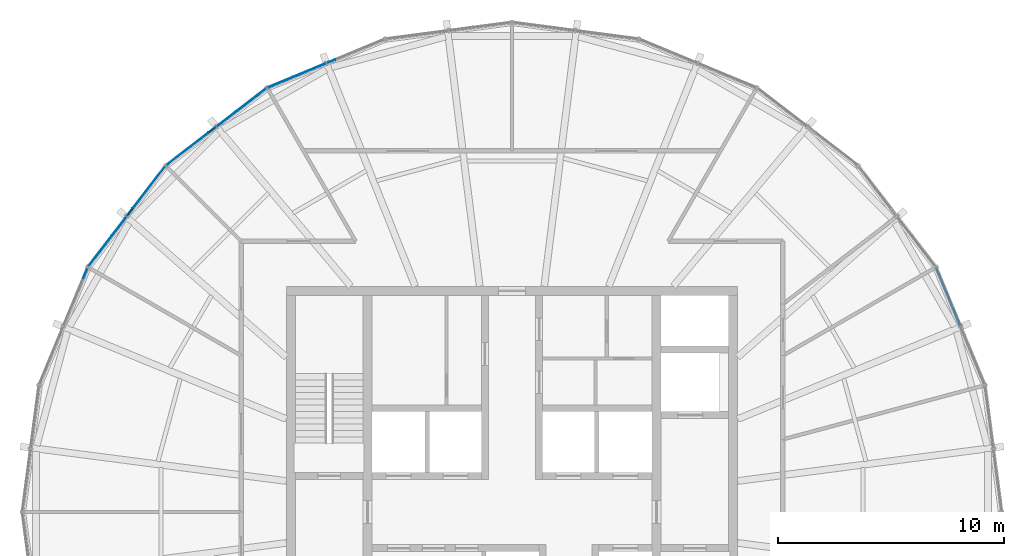
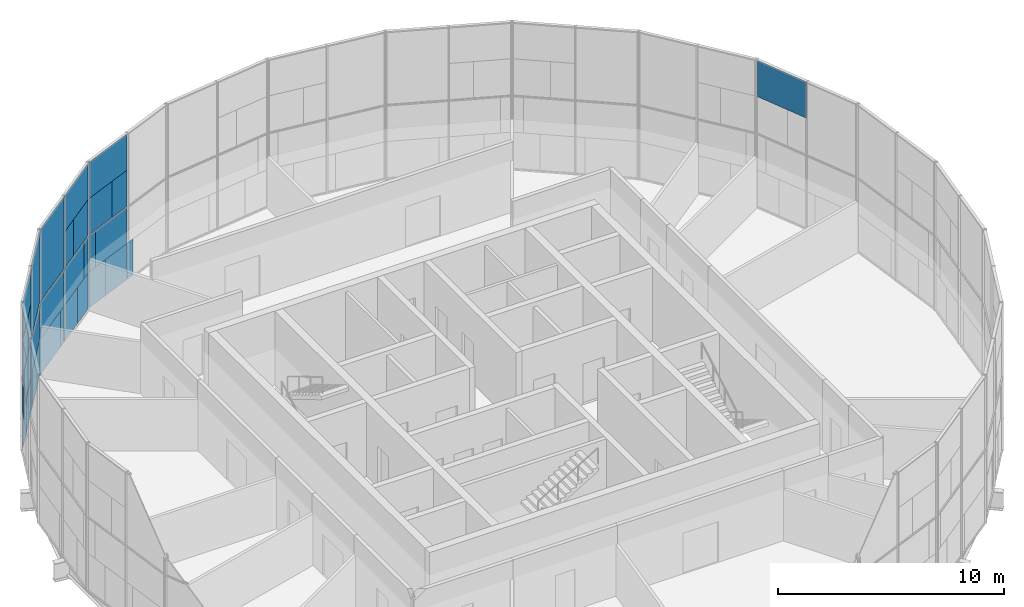
# One storey, part 13 of 18: 32 plates, 5 elements without a shape of their own.
"""IFC4 building model written with IfcOpenShell, lengths in metres."""

from ifc_helpers import new_model, si_unit, direction, frame, origin, origin_2d, place, context, subcontext, project, spatial, rectangle, extrude, material, layer, layer_set, type_object, element, aggregate, save


model = new_model("IFC4")

# Units and contexts
model_context = context("Model", 3, precision=1e-05, world=origin(), true_north=direction((0.0, 1.0)))
body_context = subcontext(model_context, "Body", "Model", "MODEL_VIEW")
ifc_project = project(units=[si_unit("LENGTHUNIT", "METRE"), si_unit("AREAUNIT", "SQUARE_METRE"), si_unit("VOLUMEUNIT", "CUBIC_METRE"), si_unit("PLANEANGLEUNIT", "RADIAN"), si_unit("MASSUNIT", "GRAM", prefix="KILO")], contexts=[model_context])

# Site, building, storey
site_placement = place(None, origin())
site = spatial("IfcSite", under=ifc_project, at=site_placement, CompositionType="ELEMENT")
building_placement = place(site_placement, origin())
building = spatial("IfcBuilding", under=site, at=building_placement, Name="Golbaran Civic Tower", CompositionType="ELEMENT")
storey_placement = place(building_placement, frame((0.0, 0.0, 272.0)))
storey = spatial("IfcBuildingStorey", under=building, at=storey_placement, Name="L66", CompositionType="ELEMENT", Elevation=272.0)

# Curtain wall, plates
ifc_material_1 = material(Name="Aluminium and glass", Category="aluminium")
curtain_wall_type = type_object("IfcCurtainWallType", Name="INNER SKIN CURTAIN WALL EXECUTIVE", PredefinedType="NOTDEFINED", material=ifc_material_1)
curtain_wall_1_placement = place(storey_placement, origin())
curtain_wall_1 = element("IfcCurtainWall", 1, at=curtain_wall_1_placement, inside=storey, type_object=curtain_wall_type, Name="Inner skin L66 facet 8 CW2", ObjectType="INNER SKIN", PredefinedType="USERDEFINED")
ifc_material_2 = material(Name="Clear insulating glass", Category="glass")
ifc_layer_1 = layer(ifc_material_2, 0.031982421875, Name="Clear insulating glass")
ifc_layer_set_1 = layer_set([ifc_layer_1], Name="Clear insulating glass")
plate_type_1 = type_object("IfcPlateType", Name="INNER SKIN CURTAIN WALL EXECUTIVE GLAZED PANEL", PredefinedType="CURTAIN_PANEL", material=ifc_layer_set_1)
plate_1_placement = place(storey_placement, frame((-10.24755859375, 19.041259765625, 0.06005859375), z_axis=(0.0, 0.0, 1.0), x_axis=(-0.923879532498, -0.382683432397, 0.0)))
plate_1 = element("IfcPlate", 2, at=plate_1_placement, type_object=plate_type_1, Name="CW2 panel 2.1 part 2", PredefinedType="CURTAIN_PANEL", context=body_context, shape_type="SweptSolid", body=[
    extrude(rectangle(XDim=1.183349609375, YDim=0.031982421875, at=origin_2d()), origin(), (0.0, 0.0, 1.0), 1.955078125),
])
plate_2_placement = place(storey_placement, frame((-10.58154296875, 18.90283203125, 2.014892578125), z_axis=(0.0, 0.0, 1.0), x_axis=(-0.923879532498, -0.382683432397, 0.0)))
plate_2 = element("IfcPlate", 3, at=plate_2_placement, type_object=plate_type_1, Name="CW2 panel 2.1 part 4", PredefinedType="CURTAIN_PANEL", context=body_context, shape_type="SweptSolid", body=[
    extrude(rectangle(XDim=0.460205078125, YDim=0.031982421875, at=origin_2d()), origin(), (0.0, 0.0, 1.0), 1.955078125),
])
plate_3_placement = place(storey_placement, frame((-8.75537109375, 19.659423828125, 4.030029296875), z_axis=(0.0, 0.0, 1.0), x_axis=(-0.923879532498, -0.382683432397, 0.0)))
plate_3 = element("IfcPlate", 4, at=plate_3_placement, type_object=plate_type_1, Name="CW2 panel 2.2 part 1", PredefinedType="CURTAIN_PANEL", context=body_context, shape_type="SweptSolid", body=[
    extrude(rectangle(XDim=1.071044921875, YDim=0.031982421875, at=origin_2d()), origin(), (0.0, 0.0, 1.0), 1.955078125),
])

curtain_wall_2_placement = place(storey_placement, origin())
curtain_wall_2 = element("IfcCurtainWall", 5, at=curtain_wall_2_placement, inside=storey, type_object=curtain_wall_type, Name="Inner skin L66 facet 9 CW2", ObjectType="INNER SKIN", PredefinedType="USERDEFINED")
plate_4_placement = place(storey_placement, frame((-11.366455078125, 18.395263671875, 0.06005859375), z_axis=(0.0, 0.0, 1.0), x_axis=(-0.79335334027, -0.608761429036, 0.0)))
plate_4 = element("IfcPlate", 6, at=plate_4_placement, type_object=plate_type_1, Name="CW2 panel 1.1 part 1", PredefinedType="CURTAIN_PANEL", context=body_context, shape_type="SweptSolid", body=[
    extrude(rectangle(XDim=1.18310546875, YDim=0.031982421875, at=origin_2d()), origin(), (0.0, 0.0, 1.0), 1.955078125),
])
plate_5_placement = place(storey_placement, frame((-11.07958984375, 18.615234375, 2.014892578125), z_axis=(0.0, 0.0, 1.0), x_axis=(-0.79335334027, -0.608761429036, 0.0)))
plate_5 = element("IfcPlate", 7, at=plate_5_placement, type_object=plate_type_1, Name="CW2 panel 1.1 part 3", PredefinedType="CURTAIN_PANEL", context=body_context, shape_type="SweptSolid", body=[
    extrude(rectangle(XDim=0.4599609375, YDim=0.031982421875, at=origin_2d()), origin(), (0.0, 0.0, 1.0), 1.955078125),
])
plate_6_placement = place(storey_placement, frame((-12.647705078125, 17.412109375, 4.030029296875), z_axis=(0.0, 0.0, 1.0), x_axis=(-0.79335334027, -0.608761429036, 0.0)))
plate_6 = element("IfcPlate", 8, at=plate_6_placement, type_object=plate_type_1, Name="CW2 panel 1.2 part 2", PredefinedType="CURTAIN_PANEL", context=body_context, shape_type="SweptSolid", body=[
    extrude(rectangle(XDim=1.0712890625, YDim=0.031982421875, at=origin_2d()), origin(), (0.0, 0.0, 1.0), 1.955078125),
])
plate_7_placement = place(storey_placement, frame((-14.3671875, 16.0927734375, 0.06005859375), z_axis=(0.0, 0.0, 1.0), x_axis=(-0.79335334027, -0.608761429036, 0.0)))
plate_7 = element("IfcPlate", 9, at=plate_7_placement, type_object=plate_type_1, Name="CW2 panel 2.1 part 2", PredefinedType="CURTAIN_PANEL", context=body_context, shape_type="SweptSolid", body=[
    extrude(rectangle(XDim=2.34130859375, YDim=0.031982421875, at=origin_2d()), origin(), (0.0, 0.0, 1.0), 1.955078125),
])
plate_8_placement = place(storey_placement, frame((-14.2080078125, 16.21484375, 2.014892578125), z_axis=(0.0, 0.0, 1.0), x_axis=(-0.79335334027, -0.608761429036, 0.0)))
plate_8 = element("IfcPlate", 10, at=plate_8_placement, type_object=plate_type_1, Name="CW2 panel 2.1 part 3", PredefinedType="CURTAIN_PANEL", context=body_context, shape_type="SweptSolid", body=[
    extrude(rectangle(XDim=2.7421875, YDim=0.031982421875, at=origin_2d()), origin(), (0.0, 0.0, 1.0), 1.955078125),
])
plate_9_placement = place(storey_placement, frame((-14.2080078125, 16.21484375, 4.0302734375), z_axis=(0.0, 0.0, 1.0), x_axis=(-0.79335334027, -0.608761429036, 0.0)))
plate_9 = element("IfcPlate", 11, at=plate_9_placement, type_object=plate_type_1, Name="CW2 panel 2.2", PredefinedType="CURTAIN_PANEL", context=body_context, shape_type="SweptSolid", body=[
    extrude(rectangle(XDim=2.7421875, YDim=0.031982421875, at=origin_2d()), origin(), (0.0, 0.0, 1.0), 3.909912109375),
])

curtain_wall_3_placement = place(storey_placement, origin())
curtain_wall_3 = element("IfcCurtainWall", 12, at=curtain_wall_3_placement, inside=storey, type_object=curtain_wall_type, Name="Inner skin L66 facet 10 CW2", ObjectType="INNER SKIN", PredefinedType="USERDEFINED")
plate_10_placement = place(storey_placement, frame((-16.092529296875, 14.3671875, 0.06005859375), z_axis=(0.0, 0.0, 1.0), x_axis=(-0.608761429036, -0.79335334027, 0.0)))
plate_10 = element("IfcPlate", 13, at=plate_10_placement, type_object=plate_type_1, Name="CW2 panel 1.1 part 1", PredefinedType="CURTAIN_PANEL", context=body_context, shape_type="SweptSolid", body=[
    extrude(rectangle(XDim=2.341064453125, YDim=0.031982421875, at=origin_2d()), origin(), (0.0, 0.0, 1.0), 1.955078125),
])
plate_11_placement = place(storey_placement, frame((-16.21484375, 14.2080078125, 2.014892578125), z_axis=(0.0, 0.0, 1.0), x_axis=(-0.608761429036, -0.79335334027, 0.0)))
plate_11 = element("IfcPlate", 14, at=plate_11_placement, type_object=plate_type_1, Name="CW2 panel 1.1 part 3", PredefinedType="CURTAIN_PANEL", context=body_context, shape_type="SweptSolid", body=[
    extrude(rectangle(XDim=2.7421875, YDim=0.031982421875, at=origin_2d()), origin(), (0.0, 0.0, 1.0), 1.955078125),
])
plate_12_placement = place(storey_placement, frame((-16.21484375, 14.2080078125, 4.0302734375), z_axis=(0.0, 0.0, 1.0), x_axis=(-0.608761429036, -0.79335334027, 0.0)))
plate_12 = element("IfcPlate", 15, at=plate_12_placement, type_object=plate_type_1, Name="CW2 panel 1.2", PredefinedType="CURTAIN_PANEL", context=body_context, shape_type="SweptSolid", body=[
    extrude(rectangle(XDim=2.7421875, YDim=0.031982421875, at=origin_2d()), origin(), (0.0, 0.0, 1.0), 3.909912109375),
])
plate_13_placement = place(storey_placement, frame((-18.395263671875, 11.366455078125, 0.06005859375), z_axis=(0.0, 0.0, 1.0), x_axis=(-0.608761429036, -0.79335334027, 0.0)))
plate_13 = element("IfcPlate", 16, at=plate_13_placement, type_object=plate_type_1, Name="CW2 panel 2.1 part 2", PredefinedType="CURTAIN_PANEL", context=body_context, shape_type="SweptSolid", body=[
    extrude(rectangle(XDim=1.183349609375, YDim=0.031982421875, at=origin_2d()), origin(), (0.0, 0.0, 1.0), 1.955078125),
])
plate_14_placement = place(storey_placement, frame((-18.615234375, 11.07958984375, 2.014892578125), z_axis=(0.0, 0.0, 1.0), x_axis=(-0.608761429036, -0.79335334027, 0.0)))
plate_14 = element("IfcPlate", 17, at=plate_14_placement, type_object=plate_type_1, Name="CW2 panel 2.1 part 4", PredefinedType="CURTAIN_PANEL", context=body_context, shape_type="SweptSolid", body=[
    extrude(rectangle(XDim=0.460205078125, YDim=0.031982421875, at=origin_2d()), origin(), (0.0, 0.0, 1.0), 1.955078125),
])
plate_15_placement = place(storey_placement, frame((-17.411865234375, 12.64794921875, 4.030029296875), z_axis=(0.0, 0.0, 1.0), x_axis=(-0.608761429036, -0.79335334027, 0.0)))
plate_15 = element("IfcPlate", 18, at=plate_15_placement, type_object=plate_type_1, Name="CW2 panel 2.2 part 1", PredefinedType="CURTAIN_PANEL", context=body_context, shape_type="SweptSolid", body=[
    extrude(rectangle(XDim=1.071044921875, YDim=0.031982421875, at=origin_2d()), origin(), (0.0, 0.0, 1.0), 1.955078125),
])

# Curtain wall, plate
curtain_wall_4_placement = place(storey_placement, origin())
curtain_wall_4 = element("IfcCurtainWall", 19, at=curtain_wall_4_placement, inside=storey, type_object=curtain_wall_type, Name="Inner skin L66 facet 11 CW2", ObjectType="INNER SKIN", PredefinedType="USERDEFINED")
plate_16_placement = place(storey_placement, frame((-18.90283203125, 10.58154296875, 2.014892578125), z_axis=(0.0, 0.0, 1.0), x_axis=(-0.382683432397, -0.923879532498, 0.0)))
plate_16 = element("IfcPlate", 20, at=plate_16_placement, type_object=plate_type_1, Name="CW2 panel 1.1 part 3", PredefinedType="CURTAIN_PANEL", context=body_context, shape_type="SweptSolid", body=[
    extrude(rectangle(XDim=0.4599609375, YDim=0.031982421875, at=origin_2d()), origin(), (0.0, 0.0, 1.0), 1.955078125),
])
aggregate(curtain_wall_4, [plate_16])

curtain_wall_5_placement = place(storey_placement, origin())
curtain_wall_5 = element("IfcCurtainWall", 21, at=curtain_wall_5_placement, inside=storey, type_object=curtain_wall_type, Name="Inner skin L66 facet 2 CW2", ObjectType="INNER SKIN", PredefinedType="USERDEFINED")
ifc_material_3 = material(Name="Aluminium faced opaque infill panel", Category="aluminium")
ifc_layer_2 = layer(ifc_material_3, 0.031982421875, Name="Aluminium faced opaque infill panel")
ifc_layer_set_2 = layer_set([ifc_layer_2], Name="Aluminium faced opaque infill panel")
plate_type_2 = type_object("IfcPlateType", Name="INNER SKIN CURTAIN WALL EXECUTIVE OPAQUE INFILL PANEL", PredefinedType="CURTAIN_PANEL", material=ifc_layer_set_2)
plate_17_placement = place(storey_placement, frame((19.339599609375, 9.52734375, 5.98486328125), z_axis=(0.0, 0.0, 1.0), x_axis=(-0.382683432397, 0.923879532498, 0.0)))
plate_17 = element("IfcPlate", 22, at=plate_17_placement, type_object=plate_type_2, Name="CW2 infill panel 2.2 part 3", PredefinedType="CURTAIN_PANEL", context=body_context, shape_type="SweptSolid", body=[
    extrude(rectangle(XDim=2.7421875, YDim=0.031982421875, at=origin_2d()), origin(), (0.0, 0.0, 1.0), 1.955078125),
])
aggregate(curtain_wall_5, [plate_17])

# Plate
plate_18_placement = place(storey_placement, frame((-8.019775390625, 19.964111328125, 0.06005859375), z_axis=(0.0, 0.0, 1.0), x_axis=(-0.923879532498, -0.382683432397, 0.0)))
plate_18 = element("IfcPlate", 23, at=plate_18_placement, type_object=plate_type_2, Name="CW2 infill panel 1.1 part 2", PredefinedType="CURTAIN_PANEL", context=body_context, shape_type="SweptSolid", body=[
    extrude(rectangle(XDim=0.4013671875, YDim=0.031982421875, at=origin_2d()), origin(), (0.0, 0.0, 1.0), 1.955078125),
])

plate_19_placement = place(storey_placement, frame((-8.980712890625, 19.56591796875, 0.06005859375), z_axis=(0.0, 0.0, 1.0), x_axis=(-0.923879532498, -0.382683432397, 0.0)))
plate_19 = element("IfcPlate", 24, at=plate_19_placement, type_object=plate_type_2, Name="CW2 infill panel 2.1 part 1", PredefinedType="CURTAIN_PANEL", context=body_context, shape_type="SweptSolid", body=[
    extrude(rectangle(XDim=1.55908203125, YDim=0.031982421875, at=origin_2d()), origin(), (0.0, 0.0, 1.0), 1.955078125),
])

plate_20_placement = place(storey_placement, frame((-9.314697265625, 19.427734375, 2.014892578125), z_axis=(0.0, 0.0, 1.0), x_axis=(-0.923879532498, -0.382683432397, 0.0)))
plate_20 = element("IfcPlate", 25, at=plate_20_placement, type_object=plate_type_2, Name="CW2 infill panel 2.1 part 3", PredefinedType="CURTAIN_PANEL", context=body_context, shape_type="SweptSolid", body=[
    extrude(rectangle(XDim=2.281982421875, YDim=0.031982421875, at=origin_2d()), origin(), (0.0, 0.0, 1.0), 1.955078125),
])

plate_21_placement = place(storey_placement, frame((-10.02197265625, 19.134521484375, 4.030029296875), z_axis=(0.0, 0.0, 1.0), x_axis=(-0.923879532498, -0.382683432397, 0.0)))
plate_21 = element("IfcPlate", 26, at=plate_21_placement, type_object=plate_type_2, Name="CW2 infill panel 2.2 part 2", PredefinedType="CURTAIN_PANEL", context=body_context, shape_type="SweptSolid", body=[
    extrude(rectangle(XDim=1.67138671875, YDim=0.031982421875, at=origin_2d()), origin(), (0.0, 0.0, 1.0), 1.955078125),
])

plate_22_placement = place(storey_placement, frame((-9.52734375, 19.339599609375, 5.98486328125), z_axis=(0.0, 0.0, 1.0), x_axis=(-0.923879532498, -0.382683432397, 0.0)))
plate_22 = element("IfcPlate", 27, at=plate_22_placement, type_object=plate_type_2, Name="CW2 infill panel 2.2 part 3", PredefinedType="CURTAIN_PANEL", context=body_context, shape_type="SweptSolid", body=[
    extrude(rectangle(XDim=2.7421875, YDim=0.031982421875, at=origin_2d()), origin(), (0.0, 0.0, 1.0), 1.955078125),
])

aggregate(curtain_wall_1, [plate_18, plate_19, plate_1, plate_20, plate_2, plate_3, plate_21, plate_22])

plate_23_placement = place(storey_placement, frame((-12.4541015625, 17.560546875, 0.06005859375), z_axis=(0.0, 0.0, 1.0), x_axis=(-0.79335334027, -0.608761429036, 0.0)))
plate_23 = element("IfcPlate", 28, at=plate_23_placement, type_object=plate_type_2, Name="CW2 infill panel 1.1 part 2", PredefinedType="CURTAIN_PANEL", context=body_context, shape_type="SweptSolid", body=[
    extrude(rectangle(XDim=1.559326171875, YDim=0.031982421875, at=origin_2d()), origin(), (0.0, 0.0, 1.0), 1.955078125),
])

plate_24_placement = place(storey_placement, frame((-12.16748046875, 17.78076171875, 2.014892578125), z_axis=(0.0, 0.0, 1.0), x_axis=(-0.79335334027, -0.608761429036, 0.0)))
plate_24 = element("IfcPlate", 29, at=plate_24_placement, type_object=plate_type_2, Name="CW2 infill panel 1.1 part 4", PredefinedType="CURTAIN_PANEL", context=body_context, shape_type="SweptSolid", body=[
    extrude(rectangle(XDim=2.2822265625, YDim=0.031982421875, at=origin_2d()), origin(), (0.0, 0.0, 1.0), 1.955078125),
])

plate_25_placement = place(storey_placement, frame((-11.56005859375, 18.246826171875, 4.030029296875), z_axis=(0.0, 0.0, 1.0), x_axis=(-0.79335334027, -0.608761429036, 0.0)))
plate_25 = element("IfcPlate", 30, at=plate_25_placement, type_object=plate_type_2, Name="CW2 infill panel 1.2 part 1", PredefinedType="CURTAIN_PANEL", context=body_context, shape_type="SweptSolid", body=[
    extrude(rectangle(XDim=1.6708984375, YDim=0.031982421875, at=origin_2d()), origin(), (0.0, 0.0, 1.0), 1.955078125),
])

plate_26_placement = place(storey_placement, frame((-11.98486328125, 17.920654296875, 5.98486328125), z_axis=(0.0, 0.0, 1.0), x_axis=(-0.79335334027, -0.608761429036, 0.0)))
plate_26 = element("IfcPlate", 31, at=plate_26_placement, type_object=plate_type_2, Name="CW2 infill panel 1.2 part 3", PredefinedType="CURTAIN_PANEL", context=body_context, shape_type="SweptSolid", body=[
    extrude(rectangle(XDim=2.7421875, YDim=0.031982421875, at=origin_2d()), origin(), (0.0, 0.0, 1.0), 1.955078125),
])

plate_27_placement = place(storey_placement, frame((-13.279296875, 16.927490234375, 0.06005859375), z_axis=(0.0, 0.0, 1.0), x_axis=(-0.79335334027, -0.608761429036, 0.0)))
plate_27 = element("IfcPlate", 32, at=plate_27_placement, type_object=plate_type_2, Name="CW2 infill panel 2.1 part 1", PredefinedType="CURTAIN_PANEL", context=body_context, shape_type="SweptSolid", body=[
    extrude(rectangle(XDim=0.40087890625, YDim=0.031982421875, at=origin_2d()), origin(), (0.0, 0.0, 1.0), 1.955078125),
])

aggregate(curtain_wall_2, [plate_4, plate_23, plate_5, plate_24, plate_25, plate_6, plate_26, plate_27, plate_7, plate_8, plate_9])

plate_28_placement = place(storey_placement, frame((-16.92724609375, 13.279541015625, 0.06005859375), z_axis=(0.0, 0.0, 1.0), x_axis=(-0.608761429036, -0.79335334027, 0.0)))
plate_28 = element("IfcPlate", 33, at=plate_28_placement, type_object=plate_type_2, Name="CW2 infill panel 1.1 part 2", PredefinedType="CURTAIN_PANEL", context=body_context, shape_type="SweptSolid", body=[
    extrude(rectangle(XDim=0.4013671875, YDim=0.031982421875, at=origin_2d()), origin(), (0.0, 0.0, 1.0), 1.955078125),
])

plate_29_placement = place(storey_placement, frame((-17.560546875, 12.454345703125, 0.06005859375), z_axis=(0.0, 0.0, 1.0), x_axis=(-0.608761429036, -0.79335334027, 0.0)))
plate_29 = element("IfcPlate", 34, at=plate_29_placement, type_object=plate_type_2, Name="CW2 infill panel 2.1 part 1", PredefinedType="CURTAIN_PANEL", context=body_context, shape_type="SweptSolid", body=[
    extrude(rectangle(XDim=1.55908203125, YDim=0.031982421875, at=origin_2d()), origin(), (0.0, 0.0, 1.0), 1.955078125),
])

plate_30_placement = place(storey_placement, frame((-17.780517578125, 12.16748046875, 2.014892578125), z_axis=(0.0, 0.0, 1.0), x_axis=(-0.608761429036, -0.79335334027, 0.0)))
plate_30 = element("IfcPlate", 35, at=plate_30_placement, type_object=plate_type_2, Name="CW2 infill panel 2.1 part 3", PredefinedType="CURTAIN_PANEL", context=body_context, shape_type="SweptSolid", body=[
    extrude(rectangle(XDim=2.281982421875, YDim=0.031982421875, at=origin_2d()), origin(), (0.0, 0.0, 1.0), 1.955078125),
])

plate_31_placement = place(storey_placement, frame((-18.24658203125, 11.56005859375, 4.030029296875), z_axis=(0.0, 0.0, 1.0), x_axis=(-0.608761429036, -0.79335334027, 0.0)))
plate_31 = element("IfcPlate", 36, at=plate_31_placement, type_object=plate_type_2, Name="CW2 infill panel 2.2 part 2", PredefinedType="CURTAIN_PANEL", context=body_context, shape_type="SweptSolid", body=[
    extrude(rectangle(XDim=1.67138671875, YDim=0.031982421875, at=origin_2d()), origin(), (0.0, 0.0, 1.0), 1.955078125),
])

plate_32_placement = place(storey_placement, frame((-17.920654296875, 11.98486328125, 5.98486328125), z_axis=(0.0, 0.0, 1.0), x_axis=(-0.608761429036, -0.79335334027, 0.0)))
plate_32 = element("IfcPlate", 37, at=plate_32_placement, type_object=plate_type_2, Name="CW2 infill panel 2.2 part 3", PredefinedType="CURTAIN_PANEL", context=body_context, shape_type="SweptSolid", body=[
    extrude(rectangle(XDim=2.7421875, YDim=0.031982421875, at=origin_2d()), origin(), (0.0, 0.0, 1.0), 1.955078125),
])

aggregate(curtain_wall_3, [plate_10, plate_28, plate_11, plate_12, plate_29, plate_13, plate_30, plate_14, plate_15, plate_31, plate_32])

save(model, "model.ifc")
